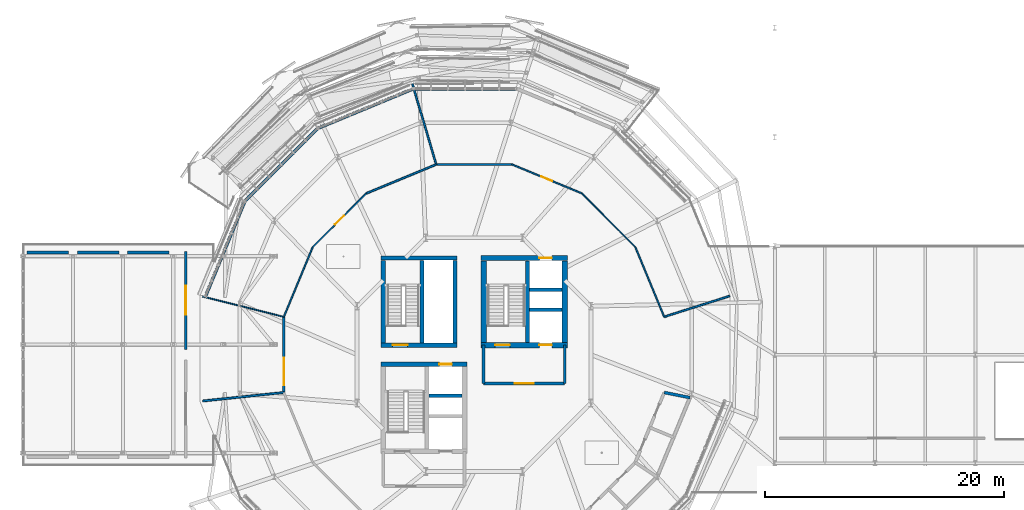
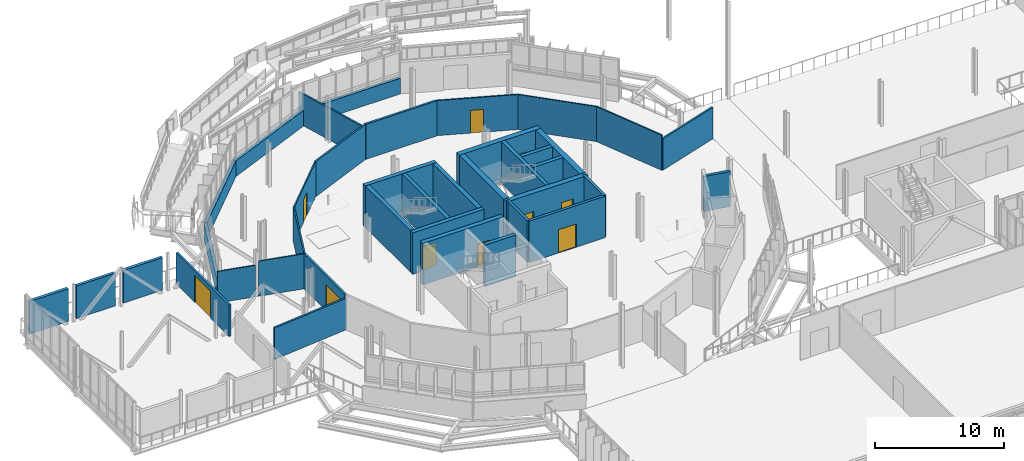
# One storey, part 90 of 107: 39 walls, 10 doors, 10 openings.
"""IFC4 building model written with IfcOpenShell, lengths in metres."""

from ifc_helpers import new_model, si_unit, derived_unit, direction, frame, frame_2d, origin, place, context, subcontext, project, spatial, rectangle, extrude, material, layer, layer_set, type_object, element, fill, save


model = new_model("IFC4")

# Units and contexts
model_context = context("Model", 3, precision=1e-05, world=origin(), true_north=direction((0.0, 1.0)))
body_context = subcontext(model_context, "Body", "Model", "MODEL_VIEW")
ifc_project = project(units=[si_unit("LENGTHUNIT", "METRE"), si_unit("AREAUNIT", "SQUARE_METRE"), si_unit("VOLUMEUNIT", "CUBIC_METRE"), si_unit("PLANEANGLEUNIT", "RADIAN"), si_unit("MASSUNIT", "GRAM", prefix="KILO"), derived_unit("THERMALTRANSMITTANCEUNIT", [(si_unit("MASSUNIT", "GRAM", prefix="KILO"), 1), (si_unit("TIMEUNIT", "SECOND"), -3), (si_unit("THERMODYNAMICTEMPERATUREUNIT", "KELVIN"), -1)])], contexts=[model_context])

# Site, building, storey
site_placement = place(None, origin())
site = spatial("IfcSite", under=ifc_project, at=site_placement, CompositionType="ELEMENT")
building_placement = place(site_placement, origin())
building = spatial("IfcBuilding", under=site, at=building_placement, Name="Makaiwela Harbour Ferry Terminal", CompositionType="ELEMENT")
storey_placement = place(building_placement, frame((0.0, 0.0, 9.60009765625)))
storey = spatial("IfcBuildingStorey", under=building, at=storey_placement, Name="L02", CompositionType="ELEMENT", Elevation=9.60009765625)

# Walls
ifc_material_1 = material(Name="Precast concrete f'c 40 MPa (6000 psi)", Category="concrete")
ifc_layer_1 = layer(ifc_material_1, 0.260009765625)
ifc_layer_set_1 = layer_set([ifc_layer_1], Name="Precast concrete f'c 40 MPa (6000 psi)")
wall_type_1 = type_object("IfcWallType", Name="ENV-WL-EXT260", PredefinedType="SOLIDWALL", material=ifc_layer_set_1)
wall_1_placement = place(storey_placement, frame((41.35107421875, 89.88330078125, 0.0), z_axis=(0.0, 0.0, 1.0), x_axis=(-1.0, 0.0, 0.0)))
element("IfcWall", 1, at=wall_1_placement, inside=storey, type_object=wall_type_1, Name="Drum Spandrel Backup Wall EW-L02-03", PredefinedType="SOLIDWALL", context=body_context, shape_type="SweptSolid", body=[
    extrude(rectangle(XDim=8.60205078125, YDim=0.260009765625, at=frame_2d((4.301025390625, 0.0))), origin(), (0.0, 0.0, 1.0), 1.47998046875),
])
wall_2_placement = place(storey_placement, frame((32.69140625, 89.871826171875, 0.0), z_axis=(0.0, 0.0, 1.0), x_axis=(-0.923888503811, -0.382661773013, 0.0)))
element("IfcWall", 2, at=wall_2_placement, inside=storey, type_object=wall_type_1, Name="Drum Spandrel Backup Wall EW-L02-04", PredefinedType="SOLIDWALL", context=body_context, shape_type="SweptSolid", body=[
    extrude(rectangle(XDim=8.602294921875, YDim=0.260009765625, at=frame_2d((4.30126953125, 0.0))), origin(), (0.0, 0.0, 1.0), 1.47998046875),
])
for number, where, z_axis, x_axis, name in (
    (3, (24.695068359375, 86.54736328125, 0.0), (0.0, 0.0, 1.0), (-0.707106781187, -0.707106781187, 0.0), "Drum Spandrel Backup Wall EW-L02-05"),
    (4, (18.579833984375, 80.416015625, 0.0), (0.0, 0.0, 1.0), (-0.382671807001, -0.923884347809, 0.0), "Drum Spandrel Backup Wall EW-L02-06"),
):
    element("IfcWall", number, at=place(storey_placement, frame(where, z_axis=z_axis, x_axis=x_axis)), inside=storey, type_object=wall_type_1, Name=name, PredefinedType="SOLIDWALL", context=body_context, shape_type="SweptSolid", body=[
        extrude(rectangle(XDim=8.60205078125, YDim=0.260009765625, at=frame_2d((4.301025390625, 0.0))), origin(), (0.0, 0.0, 1.0), 1.47998046875),
    ])
for number, where, z_axis, x_axis, name in (
    (5, (8.760009765625, 76.169921875, 0.0), (0.0, 0.0, 1.0), (1.0, 0.0, 0.0), "Exterior Wall EW-094"),
    (6, (4.56005859375, 76.169921875, 0.0), (0.0, 0.0, 1.0), (1.0, 0.0, 0.0), "Exterior Wall EW-098"),
    (7, (0.360107421875, 76.169921875, 0.0), (0.0, 0.0, 1.0), (1.0, 0.0, 0.0), "Exterior Wall EW-102"),
):
    element("IfcWall", number, at=place(storey_placement, frame(where, z_axis=z_axis, x_axis=x_axis)), inside=storey, type_object=wall_type_1, Name=name, PredefinedType="SOLIDWALL", context=body_context, shape_type="SweptSolid", body=[
        extrude(rectangle(XDim=3.47998046875, YDim=0.260009765625, at=frame_2d((1.739990234375, 0.0))), origin(), (0.0, 0.0, 1.0), 3.083984375),
    ])
ifc_material_2 = material(Name="Fire-rated gypsum board on steel studs", Category="steel")
ifc_layer_2 = layer(ifc_material_2, 0.1650390625)
ifc_layer_set_2 = layer_set([ifc_layer_2], Name="Fire-rated gypsum board on steel studs")
wall_type_2 = type_object("IfcWallType", Name="INT-WL-FIR165", PredefinedType="PARTITIONING", material=ifc_layer_set_2)
wall_3_placement = place(storey_placement, frame((21.8623046875, 64.4296875, 0.0), z_axis=(0.0, 0.0, 1.0), x_axis=(-0.994578946586, -0.103984224801, 0.0)))
element("IfcWall", 8, at=wall_3_placement, inside=storey, type_object=wall_type_2, Name="Interior Wall IW-0325", PredefinedType="PARTITIONING", context=body_context, shape_type="SweptSolid", body=[
    extrude(rectangle(XDim=6.83935546875, YDim=0.1650390625, at=frame_2d((3.419677734375, 0.0))), origin(), (0.0, 0.0, 1.0), 2.969970703125),
])

# Wall, opening, door
ifc_layer_3 = layer(ifc_material_2, 0.179931640625)
ifc_layer_set_3 = layer_set([ifc_layer_3], Name="Fire-rated gypsum board on steel studs")
wall_type_3 = type_object("IfcWallType", Name="INT-WL-FIR180", PredefinedType="PARTITIONING", material=ifc_layer_set_3)
wall_4_placement = place(storey_placement, frame((13.64990234375, 76.25, 0.0), z_axis=(0.0, 0.0, 1.0), x_axis=(0.0, -1.0, 0.0)))
wall_4 = element("IfcWall", 9, at=wall_4_placement, inside=storey, type_object=wall_type_3, Name="Interior Wall IW-0235", PredefinedType="PARTITIONING", context=body_context, shape_type="SweptSolid", body=[
    extrude(rectangle(XDim=8.199951171875, YDim=0.179931640625, at=frame_2d((4.10009765625, 0.0))), origin(), (0.0, 0.0, 1.0), 2.969970703125),
])
opening_1_placement = place(wall_4_placement, frame((2.875, 0.0, 0.0)))
opening_1 = element("IfcOpeningElement", 10, at=opening_1_placement, cuts=wall_4, Name="Opening BG-04", PredefinedType="OPENING", context=body_context, shape_type="SweptSolid", body=[
    extrude(rectangle(XDim=2.449951171875, YDim=2.550048828125, at=frame_2d((1.22509765625, 1.27490234375))), frame((0.0, 0.099853515625, 0.0), z_axis=(0.0, -1.0, 0.0), x_axis=(1.0, 0.0, 0.0)), (0.0, 0.0, 1.0), 0.199951171875),
])
ifc_material_3 = material(Name="Marine anodised aluminium 6063-T6", Category="aluminium")
door_type_1 = type_object("IfcDoorType", Name="ENV-GT-BRD04", OperationType="NOTDEFINED", PredefinedType="GATE", material=ifc_material_3)
door_1_placement = place(opening_1_placement, origin())
door_1 = element("IfcDoor", 11, at=door_1_placement, inside=storey, type_object=door_type_1, Name="Door BG-04", OperationType="DOUBLE_DOOR_SLIDING", OverallHeight=2.550048828125, OverallWidth=2.449951171875, PredefinedType="GATE", context=body_context, shape_type="SweptSolid", body=[
    extrude(rectangle(XDim=2.449951171875, YDim=2.550048828125, at=frame_2d((1.22509765625, 1.27490234375))), frame((0.0, 0.02490234375, 0.0), z_axis=(0.0, -1.0, 0.0), x_axis=(1.0, 0.0, 0.0)), (0.0, 0.0, 1.0), 0.050048828125),
])
fill(opening_1, door_1)

# Wall
wall_5_placement = place(storey_placement, frame((40.97021484375, 83.537841796875, 0.0), z_axis=(0.0, 0.0, 1.0), x_axis=(-1.0, 0.0, 0.0)))
element("IfcWall", 12, at=wall_5_placement, inside=storey, type_object=wall_type_3, Name="Interior Wall IW-0300", PredefinedType="PARTITIONING", context=body_context, shape_type="SweptSolid", body=[
    extrude(rectangle(XDim=6.34033203125, YDim=0.179931640625, at=frame_2d((3.170166015625, 0.0))), origin(), (0.0, 0.0, 1.0), 3.303955078125),
])

# Wall, opening, door
wall_6_placement = place(storey_placement, frame((21.8623046875, 70.770263671875, 0.0), z_axis=(0.0, 0.0, 1.0), x_axis=(0.0, -1.0, 0.0)))
wall_6 = element("IfcWall", 13, at=wall_6_placement, inside=storey, type_object=wall_type_3, Name="Interior Wall IW-0304", PredefinedType="PARTITIONING", context=body_context, shape_type="SweptSolid", body=[
    extrude(rectangle(XDim=6.340576171875, YDim=0.179931640625, at=frame_2d((3.17041015625, 0.0))), origin(), (0.0, 0.0, 1.0), 3.303955078125),
])
opening_2_placement = place(wall_6_placement, frame((3.4150390625, 0.0, 0.0)))
opening_2 = element("IfcOpeningElement", 14, at=opening_2_placement, cuts=wall_6, Name="Opening D-23", PredefinedType="OPENING", context=body_context, shape_type="SweptSolid", body=[
    extrude(rectangle(XDim=2.300048828125, YDim=2.449951171875, at=frame_2d((1.14990234375, 1.22509765625))), frame((0.0, 0.099853515625, 0.0), z_axis=(0.0, -1.0, 0.0), x_axis=(1.0, 0.0, 0.0)), (0.0, 0.0, 1.0), 0.199951171875),
])
ifc_material_4 = material(Name="Solid-core marine hardwood and painted steel frame", Category="steel")
door_type_2 = type_object("IfcDoorType", Name="INT-DR-CON230", OperationType="NOTDEFINED", PredefinedType="DOOR", material=ifc_material_4)
door_2_placement = place(opening_2_placement, frame((2.300048828125, 0.0, 0.0), z_axis=(0.0, 0.0, 1.0), x_axis=(-1.0, 0.0, 0.0)))
door_2 = element("IfcDoor", 15, at=door_2_placement, inside=storey, type_object=door_type_2, Name="Door D-23", OperationType="DOUBLE_DOOR_SINGLE_SWING", OverallHeight=2.449951171875, OverallWidth=2.300048828125, PredefinedType="DOOR", context=body_context, shape_type="SweptSolid", body=[
    extrude(rectangle(XDim=2.300048828125, YDim=2.449951171875, at=frame_2d((1.14990234375, 1.22509765625))), frame((0.0, 0.02490234375, 0.0), z_axis=(0.0, -1.0, 0.0), x_axis=(1.0, 0.0, 0.0)), (0.0, 0.0, 1.0), 0.050048828125),
])
fill(opening_2, door_2)

ifc_layer_4 = layer(ifc_material_2, 0.239990234375)
ifc_layer_set_4 = layer_set([ifc_layer_4], Name="Fire-rated gypsum board on steel studs")
wall_type_4 = type_object("IfcWallType", Name="INT-WL-FIR240", PredefinedType="SOLIDWALL", material=ifc_layer_set_4)
wall_7_placement = place(storey_placement, frame((38.60009765625, 65.199951171875, 0.0), z_axis=(0.0, 0.0, 1.0), x_axis=(1.0, 0.0, 0.0)))
wall_7 = element("IfcWall", 16, at=wall_7_placement, inside=storey, type_object=wall_type_4, Name="Interior Wall IW-0021", PredefinedType="SOLIDWALL", context=body_context, shape_type="SweptSolid", body=[
    extrude(rectangle(XDim=6.7998046875, YDim=0.239990234375, at=frame_2d((3.39990234375, 0.0))), origin(), (0.0, 0.0, 1.0), 3.919921875),
])
opening_3_placement = place(wall_7_placement, frame((2.60009765625, 0.0, 0.0)))
opening_3 = element("IfcOpeningElement", 17, at=opening_3_placement, cuts=wall_7, Name="Opening D-03", PredefinedType="OPENING", context=body_context, shape_type="SweptSolid", body=[
    extrude(rectangle(XDim=1.60009765625, YDim=2.199951171875, at=frame_2d((0.800048828125, 1.10009765625))), frame((0.0, 0.1298828125, 0.0), z_axis=(0.0, -1.0, 0.0), x_axis=(1.0, 0.0, 0.0)), (0.0, 0.0, 1.0), 0.260009765625),
])
ifc_material_5 = material(Name="Insulated galvanised fire-rated steel leaf and frame", Category="steel")
door_type_3 = type_object("IfcDoorType", Name="INT-DR-FFL160", OperationType="NOTDEFINED", PredefinedType="DOOR", material=ifc_material_5)
door_3_placement = place(opening_3_placement, frame((1.60009765625, 0.0, 0.0), z_axis=(0.0, 0.0, 1.0), x_axis=(-1.0, 0.0, 0.0)))
door_3 = element("IfcDoor", 18, at=door_3_placement, inside=storey, type_object=door_type_3, Name="Door D-03", OperationType="DOUBLE_DOOR_SINGLE_SWING", OverallHeight=2.199951171875, OverallWidth=1.60009765625, PredefinedType="DOOR", context=body_context, shape_type="SweptSolid", body=[
    extrude(rectangle(XDim=1.60009765625, YDim=2.199951171875, at=frame_2d((0.800048828125, 1.10009765625))), frame((0.0, 0.02490234375, 0.0), z_axis=(0.0, -1.0, 0.0), x_axis=(1.0, 0.0, 0.0)), (0.0, 0.0, 1.0), 0.050048828125),
])
fill(opening_3, door_3)

# Walls
for number, where, z_axis, x_axis, name in (
    (19, (38.60009765625, 68.39990234375, 0.0), (0.0, 0.0, 1.0), (0.0, -1.0, 0.0), "Interior Wall IW-0022"),
    (20, (45.39990234375, 65.199951171875, 0.0), (0.0, 0.0, 1.0), (0.0, 1.0, 0.0), "Interior Wall IW-0023"),
):
    element("IfcWall", number, at=place(storey_placement, frame(where, z_axis=z_axis, x_axis=x_axis)), inside=storey, type_object=wall_type_4, Name=name, PredefinedType="SOLIDWALL", context=body_context, shape_type="SweptSolid", body=[
        extrude(rectangle(XDim=3.199951171875, YDim=0.239990234375, at=frame_2d((1.60009765625, 0.0))), origin(), (0.0, 0.0, 1.0), 3.919921875),
    ])
ifc_material_6 = material(Name="Moisture-resistant acoustic gypsum partition", Category="gypsum")
ifc_layer_5 = layer(ifc_material_6, 0.25)
ifc_layer_set_5 = layer_set([ifc_layer_5], Name="Moisture-resistant acoustic gypsum partition")
wall_type_5 = type_object("IfcWallType", Name="INT-WL-PLM250", PredefinedType="PLUMBINGWALL", material=ifc_layer_set_5)
wall_8_placement = place(storey_placement, frame((53.73779296875, 64.4296875, 0.0), z_axis=(0.0, 0.0, 1.0), x_axis=(0.98078501504, -0.195091656081, 0.0)))
element("IfcWall", 21, at=wall_8_placement, inside=storey, type_object=wall_type_5, Name="Interior Wall IW-0320", PredefinedType="PLUMBINGWALL", context=body_context, shape_type="SweptSolid", body=[
    extrude(rectangle(XDim=2.199951171875, YDim=0.25, at=frame_2d((1.10009765625, 0.0))), origin(), (0.0, 0.0, 1.0), 3.303955078125),
])
ifc_layer_6 = layer(ifc_material_6, 0.10009765625)
ifc_layer_set_6 = layer_set([ifc_layer_6], Name="Moisture-resistant acoustic gypsum partition")
wall_type_6 = type_object("IfcWallType", Name="INT-WL-PRT100", PredefinedType="PARTITIONING", material=ifc_layer_set_6)
wall_9_placement = place(storey_placement, frame((51.311279296875, 76.6279296875, 0.0), z_axis=(0.0, 0.0, 1.0), x_axis=(-0.707106781187, 0.707106781187, 0.0)))
element("IfcWall", 22, at=wall_9_placement, inside=storey, type_object=wall_type_6, Name="Interior Wall IW-0298", PredefinedType="PARTITIONING", context=body_context, shape_type="SweptSolid", body=[
    extrude(rectangle(XDim=6.340576171875, YDim=0.10009765625, at=frame_2d((3.17041015625, 0.0))), origin(), (0.0, 0.0, 1.0), 3.303955078125),
])

# Wall, opening, door
wall_10_placement = place(storey_placement, frame((28.77197265625, 81.111328125, 0.0), z_axis=(0.0, 0.0, 1.0), x_axis=(-0.707106781187, -0.707106781187, 0.0)))
wall_10 = element("IfcWall", 23, at=wall_10_placement, inside=storey, type_object=wall_type_6, Name="Interior Wall IW-0302", PredefinedType="PARTITIONING", context=body_context, shape_type="SweptSolid", body=[
    extrude(rectangle(XDim=6.340576171875, YDim=0.10009765625, at=frame_2d((3.17041015625, 0.0))), origin(), (0.0, 0.0, 1.0), 3.303955078125),
])
opening_4_placement = place(wall_10_placement, frame((2.645263671875, 0.0, 0.0)))
opening_4 = element("IfcOpeningElement", 24, at=opening_4_placement, cuts=wall_10, Name="Opening D-10", PredefinedType="OPENING", context=body_context, shape_type="SweptSolid", body=[
    extrude(rectangle(XDim=1.050048828125, YDim=2.14990234375, at=frame_2d((0.52490234375, 1.074951171875))), frame((0.0, 0.06005859375, 0.0), z_axis=(0.0, -1.0, 0.0), x_axis=(1.0, 0.0, 0.0)), (0.0, 0.0, 1.0), 0.1201171875),
])
door_type_4 = type_object("IfcDoorType", Name="INT-DR-RM105", OperationType="NOTDEFINED", PredefinedType="DOOR", material=ifc_material_4)
door_4_placement = place(opening_4_placement, frame((1.050048828125, 0.0, 0.0), z_axis=(0.0, 0.0, 1.0), x_axis=(-1.0, 0.0, 0.0)))
door_4 = element("IfcDoor", 25, at=door_4_placement, inside=storey, type_object=door_type_4, Name="Door D-10", OperationType="SINGLE_SWING_LEFT", OverallHeight=2.14990234375, OverallWidth=1.050048828125, PredefinedType="DOOR", context=body_context, shape_type="SweptSolid", body=[
    extrude(rectangle(XDim=1.050048828125, YDim=2.14990234375, at=frame_2d((0.52490234375, 1.074951171875))), frame((0.0, 0.02490234375, 0.0), z_axis=(0.0, -1.0, 0.0), x_axis=(1.0, 0.0, 0.0)), (0.0, 0.0, 1.0), 0.050048828125),
])
fill(opening_4, door_4)

# Walls
wall_11_placement = place(storey_placement, frame((21.8623046875, 70.770263671875, 0.0), z_axis=(0.0, 0.0, 1.0), x_axis=(-0.970026711204, 0.242998311828, 0.0)))
element("IfcWall", 26, at=wall_11_placement, inside=storey, type_object=wall_type_6, Name="Interior Wall IW-0323", PredefinedType="PARTITIONING", context=body_context, shape_type="SweptSolid", body=[
    extrude(rectangle(XDim=3.724365234375, YDim=0.10009765625, at=frame_2d((1.8623046875, 0.0))), origin(), (0.0, 0.0, 1.0), 3.303955078125),
])
wall_12_placement = place(storey_placement, frame((18.011962890625, 71.73486328125, 0.0), z_axis=(0.0, 0.0, 1.0), x_axis=(-0.97000549058, 0.243083006902, 0.0)))
element("IfcWall", 27, at=wall_12_placement, inside=storey, type_object=wall_type_6, Name="Interior Wall IW-0324", PredefinedType="PARTITIONING", context=body_context, shape_type="SweptSolid", body=[
    extrude(rectangle(XDim=3.043212890625, YDim=0.10009765625, at=frame_2d((1.521484375, 0.0))), origin(), (0.0, 0.0, 1.0), 2.969970703125),
])
ifc_layer_7 = layer(ifc_material_6, 0.1201171875)
ifc_layer_set_7 = layer_set([ifc_layer_7], Name="Moisture-resistant acoustic gypsum partition")
wall_type_7 = type_object("IfcWallType", Name="INT-WL-PRT120", PredefinedType="PARTITIONING", material=ifc_layer_set_7)
wall_13_placement = place(storey_placement, frame((53.73779296875, 70.770263671875, 0.0), z_axis=(0.0, 0.0, 1.0), x_axis=(-0.382708871005, 0.923868995071, 0.0)))
element("IfcWall", 28, at=wall_13_placement, inside=storey, type_object=wall_type_7, Name="Interior Wall IW-0297", PredefinedType="PARTITIONING", context=body_context, shape_type="SweptSolid", body=[
    extrude(rectangle(XDim=6.34033203125, YDim=0.1201171875, at=frame_2d((3.170166015625, 0.0))), origin(), (0.0, 0.0, 1.0), 3.303955078125),
])

# Wall, opening, door
wall_14_placement = place(storey_placement, frame((46.827880859375, 81.111328125, 0.0), z_axis=(0.0, 0.0, 1.0), x_axis=(-0.923868995071, 0.382708871005, 0.0)))
wall_14 = element("IfcWall", 29, at=wall_14_placement, inside=storey, type_object=wall_type_7, Name="Interior Wall IW-0299", PredefinedType="PARTITIONING", context=body_context, shape_type="SweptSolid", body=[
    extrude(rectangle(XDim=6.34033203125, YDim=0.1201171875, at=frame_2d((3.170166015625, 0.0))), origin(), (0.0, 0.0, 1.0), 3.303955078125),
])
opening_5_placement = place(wall_14_placement, frame((2.670166015625, 0.0, 0.0)))
opening_5 = element("IfcOpeningElement", 30, at=opening_5_placement, cuts=wall_14, Name="Opening D-09", PredefinedType="OPENING", context=body_context, shape_type="SweptSolid", body=[
    extrude(rectangle(XDim=1.0, YDim=2.14990234375, at=frame_2d((0.5, 1.074951171875))), frame((0.0, 0.070068359375, 0.0), z_axis=(0.0, -1.0, 0.0), x_axis=(1.0, 0.0, 0.0)), (0.0, 0.0, 1.0), 0.14013671875),
])
door_type_5 = type_object("IfcDoorType", Name="INT-DR-RM100", OperationType="NOTDEFINED", PredefinedType="DOOR", material=ifc_material_4)
door_5_placement = place(opening_5_placement, frame((1.0, 0.0, 0.0), z_axis=(0.0, 0.0, 1.0), x_axis=(-1.0, 0.0, 0.0)))
door_5 = element("IfcDoor", 31, at=door_5_placement, inside=storey, type_object=door_type_5, Name="Door D-09", OperationType="SINGLE_SWING_RIGHT", OverallHeight=2.14990234375, OverallWidth=1.0, PredefinedType="DOOR", context=body_context, shape_type="SweptSolid", body=[
    extrude(rectangle(XDim=1.0, YDim=2.14990234375, at=frame_2d((0.5, 1.074951171875))), frame((0.0, 0.02490234375, 0.0), z_axis=(0.0, -1.0, 0.0), x_axis=(1.0, 0.0, 0.0)), (0.0, 0.0, 1.0), 0.050048828125),
])
fill(opening_5, door_5)

# Walls
wall_15_placement = place(storey_placement, frame((24.28857421875, 76.6279296875, 0.0), z_axis=(0.0, 0.0, 1.0), x_axis=(-0.382676004295, -0.923882609284, 0.0)))
element("IfcWall", 32, at=wall_15_placement, inside=storey, type_object=wall_type_7, Name="Interior Wall IW-0303", PredefinedType="PARTITIONING", context=body_context, shape_type="SweptSolid", body=[
    extrude(rectangle(XDim=6.34033203125, YDim=0.1201171875, at=frame_2d((3.170166015625, 0.0))), origin(), (0.0, 0.0, 1.0), 3.303955078125),
])
ifc_layer_8 = layer(ifc_material_6, 0.14990234375)
ifc_layer_set_8 = layer_set([ifc_layer_8], Name="Moisture-resistant acoustic gypsum partition")
wall_type_8 = type_object("IfcWallType", Name="INT-WL-PRT150", PredefinedType="PARTITIONING", material=ifc_layer_set_8)
wall_16_placement = place(storey_placement, frame((34.6298828125, 83.537841796875, 0.0), z_axis=(0.0, 0.0, 1.0), x_axis=(-0.92387463456, -0.382695256851, 0.0)))
element("IfcWall", 33, at=wall_16_placement, inside=storey, type_object=wall_type_8, Name="Interior Wall IW-0301", PredefinedType="PARTITIONING", context=body_context, shape_type="SweptSolid", body=[
    extrude(rectangle(XDim=6.340576171875, YDim=0.14990234375, at=frame_2d((3.17041015625, 0.0))), origin(), (0.0, 0.0, 1.0), 3.303955078125),
])
wall_17_placement = place(storey_placement, frame((53.73779296875, 70.770263671875, 0.0), z_axis=(0.0, 0.0, 1.0), x_axis=(0.95269394406, 0.303931322754, 0.0)))
element("IfcWall", 34, at=wall_17_placement, inside=storey, type_object=wall_type_8, Name="Interior Wall IW-0321", PredefinedType="PARTITIONING", context=body_context, shape_type="SweptSolid", body=[
    extrude(rectangle(XDim=5.76025390625, YDim=0.14990234375, at=frame_2d((2.880126953125, 0.0))), origin(), (0.0, 0.0, 1.0), 2.969970703125),
])
wall_18_placement = place(storey_placement, frame((34.6298828125, 83.537841796875, 0.0), z_axis=(0.0, 0.0, 1.0), x_axis=(-0.282992872691, 0.959122012054, 0.0)))
element("IfcWall", 35, at=wall_18_placement, inside=storey, type_object=wall_type_8, Name="Interior Wall IW-0322", PredefinedType="PARTITIONING", context=body_context, shape_type="SweptSolid", body=[
    extrude(rectangle(XDim=7.035400390625, YDim=0.14990234375, at=frame_2d((3.517578125, 0.0))), origin(), (0.0, 0.0, 1.0), 2.969970703125),
])
ifc_material_7 = material(Name="Concrete f'c 45 MPa (6500 psi)", Category="concrete")
ifc_layer_9 = layer(ifc_material_7, 0.320068359375)
ifc_layer_set_9 = layer_set([ifc_layer_9], Name="Concrete f'c 45 MPa (6500 psi)")
wall_type_9 = type_object("IfcWallType", Name="INT-WL-SHR320", PredefinedType="SHEAR", material=ifc_layer_set_9)
wall_19_placement = place(storey_placement, frame((42.27197265625, 68.635009765625, 0.0), z_axis=(0.0, 0.0, 1.0), x_axis=(0.0, 1.0, 0.0)))
element("IfcWall", 36, at=wall_19_placement, inside=storey, type_object=wall_type_9, Name="Interior Wall IW-0028", PredefinedType="SHEAR", context=body_context, shape_type="SweptSolid", body=[
    extrude(rectangle(XDim=6.830078125, YDim=0.320068359375, at=frame_2d((3.4150390625, 0.0))), origin(), (0.0, 0.0, 1.0), 3.919921875),
])
for number, where, z_axis, x_axis, name in (
    (37, (42.43701171875, 71.364990234375, 0.0), (0.0, 0.0, 1.0), (1.0, 0.0, 0.0), "Interior Wall IW-0029"),
    (38, (42.43701171875, 73.034912109375, 0.0), (0.0, 0.0, 1.0), (1.0, 0.0, 0.0), "Interior Wall IW-0030"),
):
    element("IfcWall", number, at=place(storey_placement, frame(where, z_axis=z_axis, x_axis=x_axis)), inside=storey, type_object=wall_type_9, Name=name, PredefinedType="SHEAR", context=body_context, shape_type="SweptSolid", body=[
        extrude(rectangle(XDim=2.73291015625, YDim=0.320068359375, at=frame_2d((1.366455078125, 0.0))), origin(), (0.0, 0.0, 1.0), 3.919921875),
    ])
wall_20_placement = place(storey_placement, frame((34.037109375, 64.159912109375, 0.0), z_axis=(0.0, 0.0, 1.0), x_axis=(1.0, 0.0, 0.0)))
element("IfcWall", 39, at=wall_20_placement, inside=storey, type_object=wall_type_9, Name="Interior Wall IW-0094", PredefinedType="SHEAR", context=body_context, shape_type="SweptSolid", body=[
    extrude(rectangle(XDim=2.7578125, YDim=0.320068359375, at=frame_2d((1.37890625, 0.0))), origin(), (0.0, 0.0, 1.0), 3.919921875),
])
wall_21_placement = place(storey_placement, frame((33.43994140625, 68.590087890625, 0.0), z_axis=(0.0, 0.0, 1.0), x_axis=(0.0, 1.0, 0.0)))
element("IfcWall", 40, at=wall_21_placement, inside=storey, type_object=wall_type_9, Name="Interior Wall IW-0146", PredefinedType="SHEAR", context=body_context, shape_type="SweptSolid", body=[
    extrude(rectangle(XDim=6.919921875, YDim=0.320068359375, at=frame_2d((3.4599609375, 0.0))), origin(), (0.0, 0.0, 1.0), 3.919921875),
])

# Wall, opening, door
ifc_layer_10 = layer(ifc_material_7, 0.360107421875)
ifc_layer_set_10 = layer_set([ifc_layer_10], Name="Concrete f'c 45 MPa (6500 psi)")
wall_type_10 = type_object("IfcWallType", Name="INT-WL-SHR360", PredefinedType="SHEAR", material=ifc_layer_set_10)
wall_22_placement = place(storey_placement, frame((30.02001953125, 68.39990234375, 0.0), z_axis=(0.0, 0.0, 1.0), x_axis=(1.0, 0.0, 0.0)))
wall_22 = element("IfcWall", 41, at=wall_22_placement, inside=storey, type_object=wall_type_10, Name="Interior Wall IW-0142", PredefinedType="SHEAR", context=body_context, shape_type="SweptSolid", body=[
    extrude(rectangle(XDim=6.35986328125, YDim=0.360107421875, at=frame_2d((3.179931640625, 0.0))), origin(), (0.0, 0.0, 1.0), 3.919921875),
])
opening_6_placement = place(wall_22_placement, frame((0.965087890625, 0.0, 0.0)))
opening_6 = element("IfcOpeningElement", 42, at=opening_6_placement, cuts=wall_22, Name="Opening D-02", PredefinedType="OPENING", context=body_context, shape_type="SweptSolid", body=[
    extrude(rectangle(XDim=1.25, YDim=2.199951171875, at=frame_2d((0.625, 1.10009765625))), frame((0.0, 0.18994140625, 0.0), z_axis=(0.0, -1.0, 0.0), x_axis=(1.0, 0.0, 0.0)), (0.0, 0.0, 1.0), 0.380126953125),
])
door_type_6 = type_object("IfcDoorType", Name="INT-DR-ST125", OperationType="NOTDEFINED", PredefinedType="DOOR", material=ifc_material_5)
door_6_placement = place(opening_6_placement, frame((1.25, 0.0, 0.0), z_axis=(0.0, 0.0, 1.0), x_axis=(-1.0, 0.0, 0.0)))
door_6 = element("IfcDoor", 43, at=door_6_placement, inside=storey, type_object=door_type_6, Name="Door D-02", OperationType="SINGLE_SWING_RIGHT", OverallHeight=2.199951171875, OverallWidth=1.25, PredefinedType="DOOR", context=body_context, shape_type="SweptSolid", body=[
    extrude(rectangle(XDim=1.25, YDim=2.199951171875, at=frame_2d((0.625, 1.10009765625))), frame((0.0, 0.02490234375, 0.0), z_axis=(0.0, -1.0, 0.0), x_axis=(1.0, 0.0, 0.0)), (0.0, 0.0, 1.0), 0.050048828125),
])
fill(opening_6, door_6)

# Walls
wall_23_placement = place(storey_placement, frame((30.02001953125, 75.699951171875, 0.0), z_axis=(0.0, 0.0, 1.0), x_axis=(1.0, 0.0, 0.0)))
element("IfcWall", 44, at=wall_23_placement, inside=storey, type_object=wall_type_10, Name="Interior Wall IW-0143", PredefinedType="SHEAR", context=body_context, shape_type="SweptSolid", body=[
    extrude(rectangle(XDim=6.35986328125, YDim=0.360107421875, at=frame_2d((3.179931640625, 0.0))), origin(), (0.0, 0.0, 1.0), 3.919921875),
])
for number, where, z_axis, x_axis, name in (
    (45, (30.199951171875, 68.590087890625, 0.0), (0.0, 0.0, 1.0), (0.0, 1.0, 0.0), "Interior Wall IW-0144"),
    (46, (36.199951171875, 68.590087890625, 0.0), (0.0, 0.0, 1.0), (0.0, 1.0, 0.0), "Interior Wall IW-0145"),
):
    element("IfcWall", number, at=place(storey_placement, frame(where, z_axis=z_axis, x_axis=x_axis)), inside=storey, type_object=wall_type_10, Name=name, PredefinedType="SHEAR", context=body_context, shape_type="SweptSolid", body=[
        extrude(rectangle(XDim=6.919921875, YDim=0.360107421875, at=frame_2d((3.4599609375, 0.0))), origin(), (0.0, 0.0, 1.0), 3.919921875),
    ])

# Wall, opening, door
ifc_layer_11 = layer(ifc_material_7, 0.39990234375)
ifc_layer_set_11 = layer_set([ifc_layer_11], Name="Concrete f'c 45 MPa (6500 psi)")
wall_type_11 = type_object("IfcWallType", Name="INT-WL-SHR400", PredefinedType="SHEAR", material=ifc_layer_set_11)
wall_24_placement = place(storey_placement, frame((30.0, 66.800048828125, 0.0), z_axis=(0.0, 0.0, 1.0), x_axis=(1.0, 0.0, 0.0)))
wall_24 = element("IfcWall", 47, at=wall_24_placement, inside=storey, type_object=wall_type_11, Name="Interior Wall IW-0089", PredefinedType="SHEAR", context=body_context, shape_type="SweptSolid", body=[
    extrude(rectangle(XDim=7.199951171875, YDim=0.39990234375, at=frame_2d((3.60009765625, 0.0))), origin(), (0.0, 0.0, 1.0), 3.919921875),
])
opening_7_placement = place(wall_24_placement, frame((4.890869140625, 0.0, 0.0)))
opening_7 = element("IfcOpeningElement", 48, at=opening_7_placement, cuts=wall_24, Name="Opening LD-01", PredefinedType="OPENING", context=body_context, shape_type="SweptSolid", body=[
    extrude(rectangle(XDim=1.050048828125, YDim=2.14990234375, at=frame_2d((0.52490234375, 1.074951171875))), frame((0.0, 0.2099609375, 0.0), z_axis=(0.0, -1.0, 0.0), x_axis=(1.0, 0.0, 0.0)), (0.0, 0.0, 1.0), 0.419921875),
])
ifc_material_8 = material(Name="Marine grade 316L brushed stainless steel", Category="steel")
door_type_7 = type_object("IfcDoorType", Name="INT-DR-LD105", OperationType="NOTDEFINED", PredefinedType="DOOR", material=ifc_material_8)
door_7_placement = place(opening_7_placement, origin())
door_7 = element("IfcDoor", 49, at=door_7_placement, inside=storey, type_object=door_type_7, Name="Door LD-01", OperationType="DOUBLE_DOOR_SLIDING", OverallHeight=2.14990234375, OverallWidth=1.050048828125, PredefinedType="DOOR", context=body_context, shape_type="SweptSolid", body=[
    extrude(rectangle(XDim=1.050048828125, YDim=2.14990234375, at=frame_2d((0.52490234375, 1.074951171875))), frame((0.0, 0.02490234375, 0.0), z_axis=(0.0, -1.0, 0.0), x_axis=(1.0, 0.0, 0.0)), (0.0, 0.0, 1.0), 0.050048828125),
])
fill(opening_7, door_7)

# Wall, openings, doors
ifc_layer_12 = layer(ifc_material_7, 0.449951171875)
ifc_layer_set_12 = layer_set([ifc_layer_12], Name="Concrete f'c 45 MPa (6500 psi)")
wall_type_12 = type_object("IfcWallType", Name="INT-WL-SHR450", PredefinedType="SHEAR", material=ifc_layer_set_12)
wall_25_placement = place(storey_placement, frame((38.375, 68.39990234375, 0.0), z_axis=(0.0, 0.0, 1.0), x_axis=(1.0, 0.0, 0.0)))
wall_25 = element("IfcWall", 50, at=wall_25_placement, inside=storey, type_object=wall_type_12, Name="Interior Wall IW-0024", PredefinedType="SHEAR", context=body_context, shape_type="SweptSolid", body=[
    extrude(rectangle(XDim=7.25, YDim=0.449951171875, at=frame_2d((3.625, 0.0))), origin(), (0.0, 0.0, 1.0), 3.919921875),
])
opening_8_placement = place(wall_25_placement, frame((1.1875, 0.0, 0.0)))
opening_8 = element("IfcOpeningElement", 51, at=opening_8_placement, cuts=wall_25, Name="Opening D-02", PredefinedType="OPENING", context=body_context, shape_type="SweptSolid", body=[
    extrude(rectangle(XDim=1.25, YDim=2.199951171875, at=frame_2d((0.625, 1.10009765625))), frame((0.0, 0.23486328125, 0.0), z_axis=(0.0, -1.0, 0.0), x_axis=(1.0, 0.0, 0.0)), (0.0, 0.0, 1.0), 0.469970703125),
])
opening_9_placement = place(wall_25_placement, frame((4.90380859375, 0.0, 0.0)))
opening_9 = element("IfcOpeningElement", 52, at=opening_9_placement, cuts=wall_25, Name="Opening LD-01", PredefinedType="OPENING", context=body_context, shape_type="SweptSolid", body=[
    extrude(rectangle(XDim=1.050048828125, YDim=2.14990234375, at=frame_2d((0.52490234375, 1.074951171875))), frame((0.0, 0.23486328125, 0.0), z_axis=(0.0, -1.0, 0.0), x_axis=(1.0, 0.0, 0.0)), (0.0, 0.0, 1.0), 0.469970703125),
])
door_8_placement = place(opening_9_placement, frame((1.050048828125, 0.0, 0.0), z_axis=(0.0, 0.0, 1.0), x_axis=(-1.0, 0.0, 0.0)))
door_8 = element("IfcDoor", 53, at=door_8_placement, inside=storey, type_object=door_type_7, Name="Door LD-01", OperationType="DOUBLE_DOOR_SLIDING", OverallHeight=2.14990234375, OverallWidth=1.050048828125, PredefinedType="DOOR", context=body_context, shape_type="SweptSolid", body=[
    extrude(rectangle(XDim=1.050048828125, YDim=2.14990234375, at=frame_2d((0.52490234375, 1.074951171875))), frame((0.0, 0.02490234375, 0.0), z_axis=(0.0, -1.0, 0.0), x_axis=(1.0, 0.0, 0.0)), (0.0, 0.0, 1.0), 0.050048828125),
])
fill(opening_9, door_8)
door_9_placement = place(opening_8_placement, frame((1.25, 0.0, 0.0), z_axis=(0.0, 0.0, 1.0), x_axis=(-1.0, 0.0, 0.0)))
door_9 = element("IfcDoor", 54, at=door_9_placement, inside=storey, type_object=door_type_6, Name="Door D-02", OperationType="SINGLE_SWING_LEFT", OverallHeight=2.199951171875, OverallWidth=1.25, PredefinedType="DOOR", context=body_context, shape_type="SweptSolid", body=[
    extrude(rectangle(XDim=1.25, YDim=2.199951171875, at=frame_2d((0.625, 1.10009765625))), frame((0.0, 0.02490234375, 0.0), z_axis=(0.0, -1.0, 0.0), x_axis=(1.0, 0.0, 0.0)), (0.0, 0.0, 1.0), 0.050048828125),
])
fill(opening_8, door_9)

# Wall, opening, door
wall_26_placement = place(storey_placement, frame((38.375, 75.699951171875, 0.0), z_axis=(0.0, 0.0, 1.0), x_axis=(1.0, 0.0, 0.0)))
wall_26 = element("IfcWall", 55, at=wall_26_placement, inside=storey, type_object=wall_type_12, Name="Interior Wall IW-0025", PredefinedType="SHEAR", context=body_context, shape_type="SweptSolid", body=[
    extrude(rectangle(XDim=7.25, YDim=0.449951171875, at=frame_2d((3.625, 0.0))), origin(), (0.0, 0.0, 1.0), 3.919921875),
])
opening_10_placement = place(wall_26_placement, frame((4.90380859375, 0.0, 0.0)))
opening_10 = element("IfcOpeningElement", 56, at=opening_10_placement, cuts=wall_26, Name="Opening LD-01", PredefinedType="OPENING", context=body_context, shape_type="SweptSolid", body=[
    extrude(rectangle(XDim=1.050048828125, YDim=2.14990234375, at=frame_2d((0.52490234375, 1.074951171875))), frame((0.0, 0.23486328125, 0.0), z_axis=(0.0, -1.0, 0.0), x_axis=(1.0, 0.0, 0.0)), (0.0, 0.0, 1.0), 0.469970703125),
])
door_10_placement = place(opening_10_placement, origin())
door_10 = element("IfcDoor", 57, at=door_10_placement, inside=storey, type_object=door_type_7, Name="Door LD-01", OperationType="DOUBLE_DOOR_SLIDING", OverallHeight=2.14990234375, OverallWidth=1.050048828125, PredefinedType="DOOR", context=body_context, shape_type="SweptSolid", body=[
    extrude(rectangle(XDim=1.050048828125, YDim=2.14990234375, at=frame_2d((0.52490234375, 1.074951171875))), frame((0.0, 0.02490234375, 0.0), z_axis=(0.0, -1.0, 0.0), x_axis=(1.0, 0.0, 0.0)), (0.0, 0.0, 1.0), 0.050048828125),
])
fill(opening_10, door_10)

# Walls
for number, where, z_axis, x_axis, name in (
    (58, (38.60009765625, 68.635009765625, 0.0), (0.0, 0.0, 1.0), (0.0, 1.0, 0.0), "Interior Wall IW-0026"),
    (59, (45.39990234375, 68.635009765625, 0.0), (0.0, 0.0, 1.0), (0.0, 1.0, 0.0), "Interior Wall IW-0027"),
):
    element("IfcWall", number, at=place(storey_placement, frame(where, z_axis=z_axis, x_axis=x_axis)), inside=storey, type_object=wall_type_12, Name=name, PredefinedType="SHEAR", context=body_context, shape_type="SweptSolid", body=[
        extrude(rectangle(XDim=6.830078125, YDim=0.449951171875, at=frame_2d((3.4150390625, 0.0))), origin(), (0.0, 0.0, 1.0), 3.919921875),
    ])

save(model, "model.ifc")
